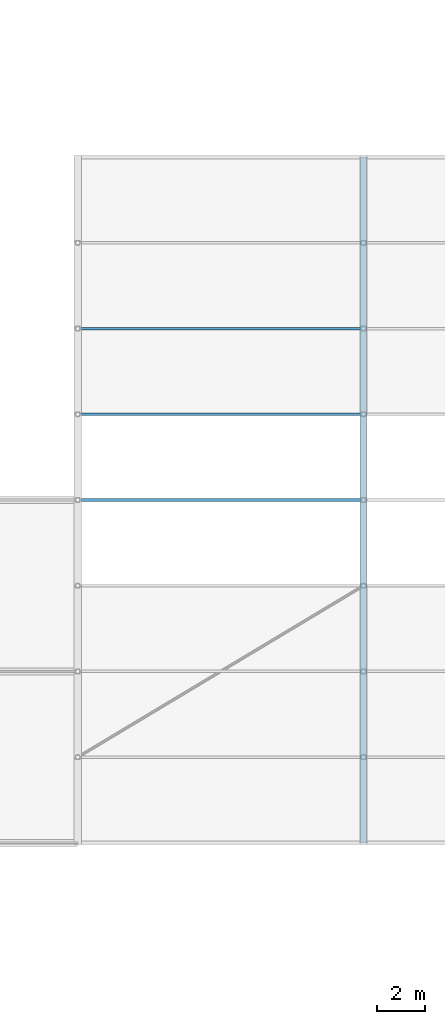
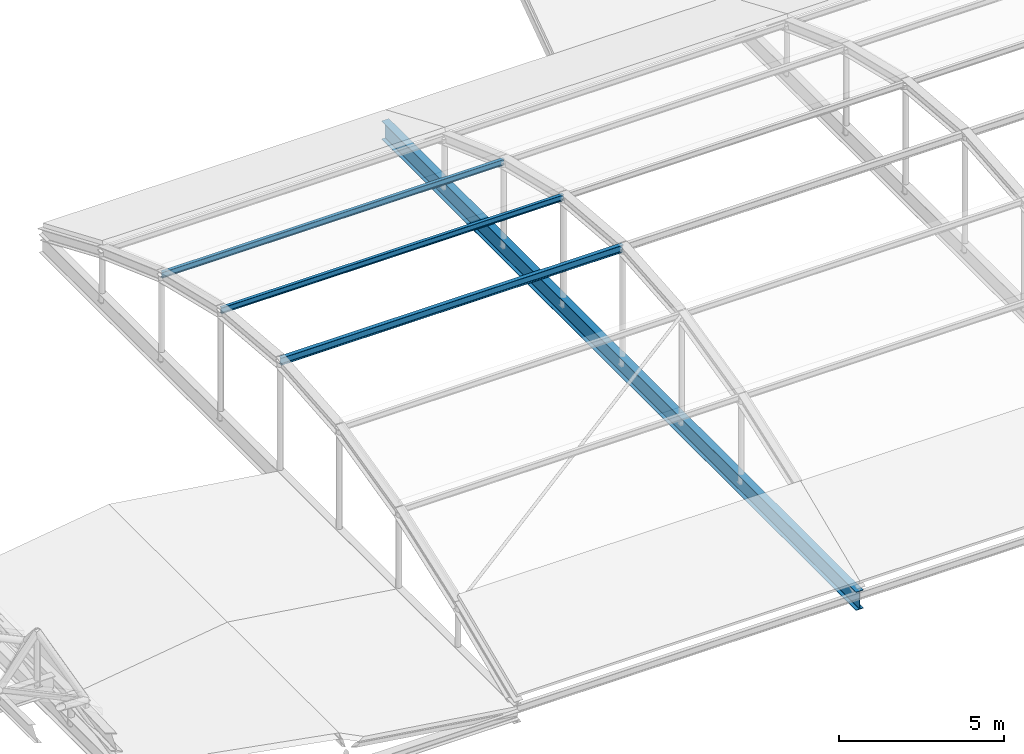
# One storey, part 150 of 239: 3 members, 1 beam.
"""IFC4 building model written with IfcOpenShell, lengths in metres."""

from ifc_helpers import new_model, si_unit, direction, frame, origin, origin_2d, place, context, subcontext, project, spatial, i_section, extrude, material, material_profile, profile_set, type_object, element, save


model = new_model("IFC4")

# Units and contexts
model_context = context("Model", 3, precision=1e-05, world=origin(), true_north=direction((0.0, 1.0)))
body_context = subcontext(model_context, "Body", "Model", "MODEL_VIEW")
ifc_project = project(units=[si_unit("LENGTHUNIT", "METRE"), si_unit("AREAUNIT", "SQUARE_METRE"), si_unit("VOLUMEUNIT", "CUBIC_METRE"), si_unit("PLANEANGLEUNIT", "RADIAN"), si_unit("MASSUNIT", "GRAM", prefix="KILO")], contexts=[model_context])

# Site, building, storey
site_placement = place(None, origin())
site = spatial("IfcSite", under=ifc_project, at=site_placement, CompositionType="ELEMENT")
building_placement = place(site_placement, origin())
building = spatial("IfcBuilding", under=site, at=building_placement, Name="Dunvalen Ferry Terminal", CompositionType="ELEMENT")
storey_placement = place(building_placement, frame((0.0, 0.0, 9.840087890625)))
storey = spatial("IfcBuildingStorey", under=building, at=storey_placement, Name="L02", CompositionType="ELEMENT", Elevation=9.840087890625)

# Beam
ifc_material = material(Name="Steel S355", Category="steel")
ifc_material_profile_1 = material_profile(ifc_material, i_section(OverallWidth=0.253662109375, OverallDepth=0.68359375, WebThickness=0.012451171875, FlangeThickness=0.01904296875, FilletRadius=0.01513671875, at=origin_2d()), Name="Steel S355")
ifc_profile_set_1 = profile_set([ifc_material_profile_1], Name="Steel S355")
beam_type = type_object("IfcBeamType", Name="STR-BM-UKB686", PredefinedType="BEAM", material=ifc_profile_set_1)
beam_placement = place(storey_placement, frame((120.0, 57.60009765625, -0.340087890625), z_axis=(0.0, 1.0, 0.0), x_axis=(-1.0, 0.0, 0.0)))
element("IfcBeam", 1, at=beam_placement, inside=storey, type_object=beam_type, Name="Arrivals Hall Barrel-Vault Tie Girder 02", PredefinedType="BEAM", context=body_context, shape_type="SweptSolid", body=[
    extrude(i_section(OverallWidth=0.253662109375, OverallDepth=0.68359375, WebThickness=0.012451171875, FlangeThickness=0.01904296875, FilletRadius=0.01513671875, at=origin_2d()), origin(), (0.0, 0.0, 1.0), 28.7998046875),
])

# Members
ifc_material_profile_2 = material_profile(ifc_material, i_section(OverallWidth=0.110107421875, OverallDepth=0.219970703125, WebThickness=0.005859375, FlangeThickness=0.00927734375, FilletRadius=0.011962890625, at=origin_2d()), Name="Steel S355")
ifc_profile_set_2 = profile_set([ifc_material_profile_2], Name="Steel S355")
member_type_1 = type_object("IfcMemberType", Name="STR-MB-IPE220", PredefinedType="PURLIN", material=ifc_profile_set_2)
for number, where, z_axis, x_axis, name in (
    (2, (108.0, 75.60009765625, 3.6953125), (1.0, 0.0, 0.0), (0.0, 1.0, 0.0), "Arrivals Hall Barrel-Vault Purlin 1.6"),
    (3, (108.0, 79.199951171875, 2.828369140625), (1.0, 0.0, 0.0), (0.0, 1.0, 0.0), "Arrivals Hall Barrel-Vault Purlin 1.7"),
):
    element("IfcMember", number, at=place(storey_placement, frame(where, z_axis=z_axis, x_axis=x_axis)), inside=storey, type_object=member_type_1, Name=name, PredefinedType="PURLIN", context=body_context, shape_type="SweptSolid", body=[
        extrude(i_section(OverallWidth=0.110107421875, OverallDepth=0.219970703125, WebThickness=0.005859375, FlangeThickness=0.00927734375, FilletRadius=0.011962890625, at=origin_2d()), origin(), (0.0, 0.0, 1.0), 12.0),
    ])
ifc_material_profile_3 = material_profile(ifc_material, i_section(OverallWidth=0.135009765625, OverallDepth=0.27001953125, WebThickness=0.006591796875, FlangeThickness=0.01025390625, FilletRadius=0.014892578125, at=origin_2d()), Name="Steel S355")
ifc_profile_set_3 = profile_set([ifc_material_profile_3], Name="Steel S355")
member_type_2 = type_object("IfcMemberType", Name="STR-MB-IPE270", PredefinedType="PURLIN", material=ifc_profile_set_3)
member_placement = place(storey_placement, frame((108.0, 72.0, 4.0), z_axis=(1.0, 0.0, 0.0), x_axis=(0.0, 1.0, 0.0)))
element("IfcMember", 4, at=member_placement, inside=storey, type_object=member_type_2, Name="Arrivals Hall Barrel-Vault Purlin 1.5", PredefinedType="PURLIN", context=body_context, shape_type="SweptSolid", body=[
    extrude(i_section(OverallWidth=0.135009765625, OverallDepth=0.27001953125, WebThickness=0.006591796875, FlangeThickness=0.01025390625, FilletRadius=0.014892578125, at=origin_2d()), origin(), (0.0, 0.0, 1.0), 12.0),
])

save(model, "model.ifc")
